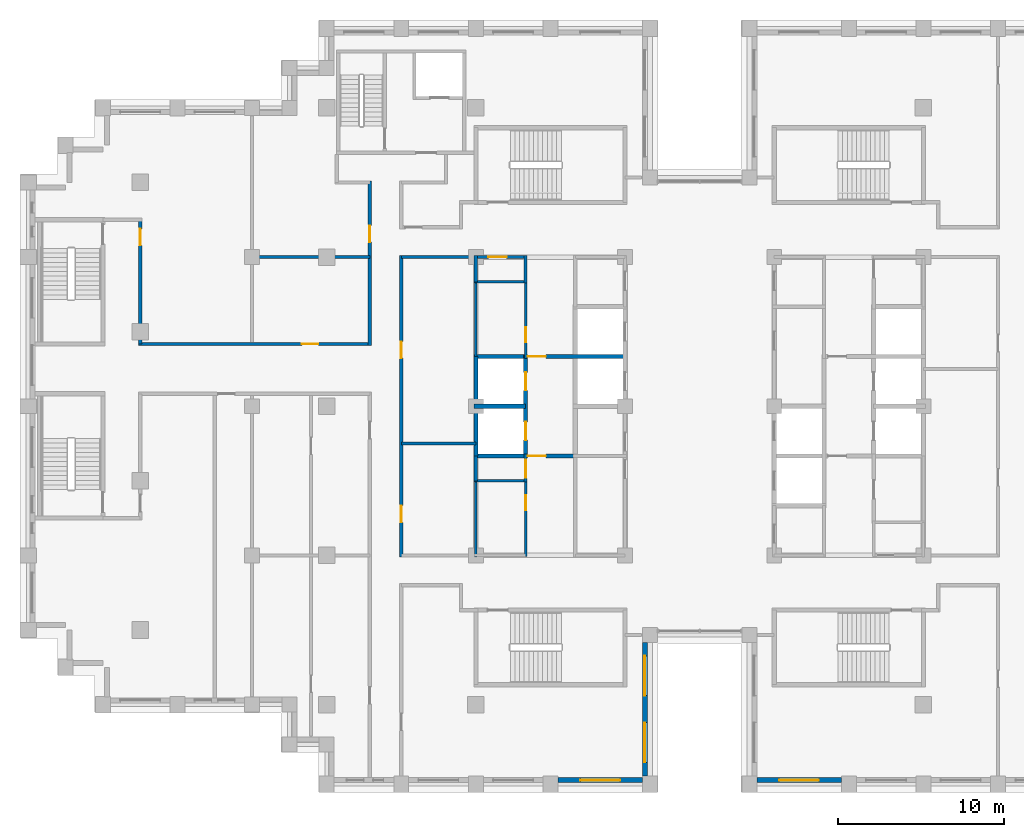
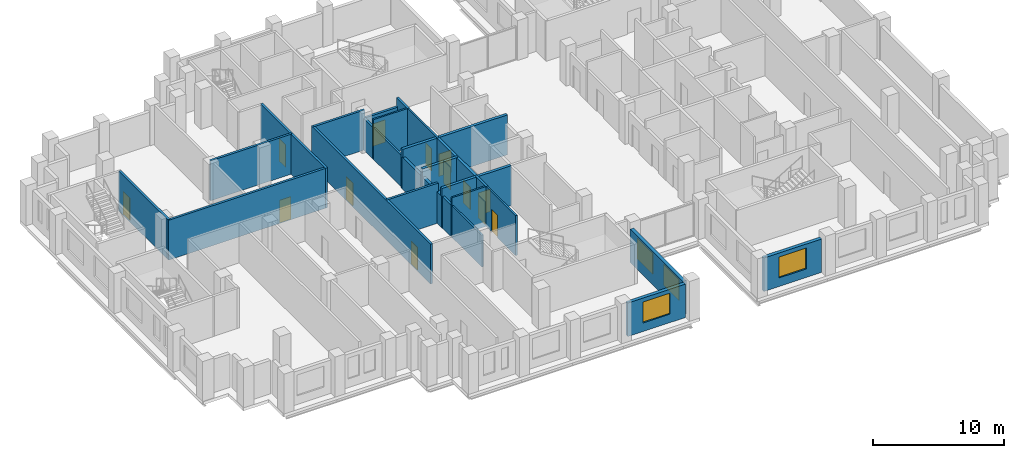
# One storey, part 7 of 15: 26 walls, 13 doors, 4 windows, 17 openings.
"""IFC4 building model written with IfcOpenShell, lengths in metres."""

import ifcopenshell
import ifcopenshell.guid

model = None  # the IFC model being written
_history = None  # IfcOwnerHistory: only IFC2X3 demands one
_inside = {}  # id of a spatial element -> (the spatial element, [elements in it])
_under = {}  # id of a project, library or spatial element -> (it, [spatial elements below it])
_declared = {}  # id of a project -> (the project, [libraries it declares])
_typed = {}  # id of a type object -> (the type object, [elements of that type])
_made_of = {}  # id of a material, layer set ... -> (it, [elements and type objects made of it])


def new_model(schema):
    """Start an empty IFC model of exactly this schema.

    Asked for "IFC4X3", IfcOpenShell would pick the latest addendum, in which some entities
    have other attributes; the version numbers below select the first issue.
    IFC2X3 requires an IfcOwnerHistory on every rooted entity: one is made here for all.
    """
    global model, _history
    if schema == "IFC4X3":
        model = ifcopenshell.file(schema_version=(4, 3, 0, 0))
    else:
        model = ifcopenshell.file(schema=schema)
    _inside.clear()
    _under.clear()
    _declared.clear()
    _typed.clear()
    _made_of.clear()
    _history = None
    if model.schema == "IFC2X3":
        org = make("IfcOrganization", Name="unknown")
        user = make(
            "IfcPersonAndOrganization",
            ThePerson=make("IfcPerson", FamilyName="unknown"),
            TheOrganization=org,
        )
        app = make(
            "IfcApplication",
            ApplicationDeveloper=org,
            Version="unknown",
            ApplicationFullName="unknown",
            ApplicationIdentifier="unknown",
        )
        _history = make(
            "IfcOwnerHistory",
            OwningUser=user,
            OwningApplication=app,
            ChangeAction="ADDED",
            CreationDate=0,
        )
    return model


def make(cls, **values):
    """One entity of the class cls with the attributes given. An attribute that is None is left unset."""
    return model.create_entity(
        cls, **{name: value for name, value in values.items() if value is not None}
    )


def rooted(cls, **values):
    """An entity with a GlobalId (a new one), such as an element, a storey or a relation."""
    return make(cls, GlobalId=ifcopenshell.guid.new(), OwnerHistory=_history, **values)


def si_unit(unit_type, name, prefix=None):
    """IfcSIUnit, for example si_unit("LENGTHUNIT", "METRE", prefix="MILLI")."""
    return make("IfcSIUnit", UnitType=unit_type, Prefix=prefix, Name=name)


def assignment(units):
    """IfcUnitAssignment: the units of a project."""
    return None if units is None else make("IfcUnitAssignment", Units=units)


def point(xyz):
    """IfcCartesianPoint."""
    return None if xyz is None else make("IfcCartesianPoint", Coordinates=xyz)


def direction(xyz):
    """IfcDirection."""
    return None if xyz is None else make("IfcDirection", DirectionRatios=xyz)


def frame(location, z_axis=None, x_axis=None):
    """IfcAxis2Placement3D, a coordinate frame: its origin and axes. An axis left out is left unset."""
    return make(
        "IfcAxis2Placement3D",
        Location=point(location),
        Axis=direction(z_axis),
        RefDirection=direction(x_axis),
    )


def frame_2d(location, x_axis=None):
    """IfcAxis2Placement2D, a coordinate frame in the plane: its origin and x axis."""
    return make(
        "IfcAxis2Placement2D", Location=point(location), RefDirection=direction(x_axis)
    )


def origin():
    """The frame at (0, 0, 0) with its axes left unset."""
    return frame((0.0, 0.0, 0.0))


def place(relative_to, where):
    """IfcLocalPlacement: puts the frame where relative to a parent placement (None: the world)."""
    return make(
        "IfcLocalPlacement", PlacementRelTo=relative_to, RelativePlacement=where
    )


def context(
    kind, dimensions, precision=None, world=None, true_north=None, identifier=None
):
    """IfcGeometricRepresentationContext, for example the 3D "Model" context."""
    return make(
        "IfcGeometricRepresentationContext",
        ContextIdentifier=identifier,
        ContextType=kind,
        CoordinateSpaceDimension=dimensions,
        Precision=precision,
        WorldCoordinateSystem=world,
        TrueNorth=true_north,
    )


def subcontext(parent, identifier, kind, view, scale=None):
    """IfcGeometricRepresentationSubContext, for example "Body" below "Model"."""
    return make(
        "IfcGeometricRepresentationSubContext",
        ContextIdentifier=identifier,
        ContextType=kind,
        ParentContext=parent,
        TargetScale=scale,
        TargetView=view,
    )


def project(units=None, contexts=None):
    """IfcProject with its units and contexts."""
    return rooted(
        "IfcProject",
        Name="project",
        RepresentationContexts=contexts,
        UnitsInContext=assignment(units),
    )


def spatial(cls, under=None, at=None, **own):
    """A site, building, storey or space (cls), placed at a placement, below another one or the project."""
    s = rooted(cls, ObjectPlacement=at, **own)
    if under is not None:
        _under.setdefault(under.id(), (under, []))[1].append(s)
    return s


def profile(cls, at=None, kind="AREA", **sizes):
    """A parametric profile (cls). Its sizes go by their IFC names, for example OverallWidth=200.0."""
    return make(cls, ProfileType=kind, Position=at, **sizes)


def rectangle(**sizes):
    """IfcRectangleProfileDef."""
    return profile("IfcRectangleProfileDef", **sizes)


def extrude(swept, where, along, depth):
    """IfcExtrudedAreaSolid: the profile swept, set in the frame where, extruded along a direction by depth."""
    return make(
        "IfcExtrudedAreaSolid",
        SweptArea=swept,
        Position=where,
        ExtrudedDirection=direction(along),
        Depth=depth,
    )


def shape(context_of_items, identifier, shape_type, items):
    """IfcShapeRepresentation: the items that make up one representation, for example the "Body"."""
    return make(
        "IfcShapeRepresentation",
        ContextOfItems=context_of_items,
        RepresentationIdentifier=identifier,
        RepresentationType=shape_type,
        Items=items,
    )


def material(Name=None, Category=None):
    """IfcMaterial."""
    return make("IfcMaterial", Name=Name, Category=Category)


def layer(
    of_material, thickness, ventilated=None, Name=None, Category=None, Priority=None
):
    """IfcMaterialLayer: one layer of a wall or slab, of a material (None: an air gap)."""
    return make(
        "IfcMaterialLayer",
        Material=of_material,
        LayerThickness=thickness,
        IsVentilated=ventilated,
        Name=Name,
        Category=Category,
        Priority=Priority,
    )


def layer_set(layers, Name=None):
    """IfcMaterialLayerSet."""
    return make("IfcMaterialLayerSet", MaterialLayers=layers, LayerSetName=Name)


def made_of(thing, what):
    """Note that an element or type object is made of a material, layer set ...; save() writes the relation."""
    if what is not None:
        _made_of.setdefault(what.id(), (what, []))[1].append(thing)
    return thing


def type_object(cls, material=None, **own):
    """A type object (cls), such as IfcWallType, which elements share."""
    return made_of(rooted(cls, **own), material)


def element(
    cls,
    number,
    at=None,
    inside=None,
    cuts=None,
    type_object=None,
    material=None,
    context=None,
    identifier="Body",
    shape_type=None,
    held_by="IfcProductDefinitionShape",
    body=None,
    shapes=None,
    **own,
):
    """One element of the class cls, such as IfcWall. Its Tag is "e" and its number.

    at: its placement. inside: the storey or other place that contains it. cuts: it is an
    opening in that element (IfcRelVoidsElement). A single representation is given by context,
    identifier, shape_type and body (its items); several are given by shapes. held_by: the class
    of the entity that holds the representations. save() writes the other relations.
    """
    e = rooted(cls, Tag="e%d" % number, ObjectPlacement=at, **own)
    if body is not None:
        shapes = [shape(context, identifier, shape_type, body)]
    if shapes is not None:
        e.Representation = make(held_by, Representations=shapes)
    if inside is not None:
        _inside.setdefault(inside.id(), (inside, []))[1].append(e)
    if cuts is not None:
        rooted(
            "IfcRelVoidsElement", RelatingBuildingElement=cuts, RelatedOpeningElement=e
        )
    if type_object is not None:
        _typed.setdefault(type_object.id(), (type_object, []))[1].append(e)
    return made_of(e, material)


def fill(opening, filler):
    """IfcRelFillsElement: the door or window that sits in an opening."""
    return rooted(
        "IfcRelFillsElement",
        RelatingOpeningElement=opening,
        RelatedBuildingElement=filler,
    )


def aggregate(whole, parts):
    """IfcRelAggregates: a whole, such as a stair, and the parts it consists of."""
    return rooted("IfcRelAggregates", RelatingObject=whole, RelatedObjects=parts)


def save(model, path):
    """Write the relations noted so far, then the file.

    IfcRelAggregates (storeys below a building ...), IfcRelContainedInSpatialStructure (elements
    in a storey), IfcRelDefinesByType, IfcRelAssociatesMaterial and IfcRelDeclares: one each for
    every whole, place, type object, material and project.
    """
    for whole, parts in _under.values():
        aggregate(whole, parts)
    for where, things in _inside.values():
        rooted(
            "IfcRelContainedInSpatialStructure",
            RelatedElements=things,
            RelatingStructure=where,
        )
    for kind, things in _typed.values():
        rooted("IfcRelDefinesByType", RelatedObjects=things, RelatingType=kind)
    for what, things in _made_of.values():
        rooted("IfcRelAssociatesMaterial", RelatedObjects=things, RelatingMaterial=what)
    for by, libraries in _declared.values():
        rooted("IfcRelDeclares", RelatingContext=by, RelatedDefinitions=libraries)
    model.write(path)


model = new_model("IFC4")

# Units and contexts
model_context = context("Model", 3, precision=1e-05, world=origin(), true_north=direction((0.0, 1.0)))
body_context = subcontext(model_context, "Body", "Model", "MODEL_VIEW")
ifc_project = project(units=[si_unit("LENGTHUNIT", "METRE"), si_unit("AREAUNIT", "SQUARE_METRE"), si_unit("VOLUMEUNIT", "CUBIC_METRE"), si_unit("PLANEANGLEUNIT", "RADIAN"), si_unit("MASSUNIT", "GRAM", prefix="KILO")], contexts=[model_context])

# Site, building, storey
site_placement = place(None, origin())
site = spatial("IfcSite", under=ifc_project, at=site_placement, CompositionType="ELEMENT")
building_placement = place(site_placement, origin())
building = spatial("IfcBuilding", under=site, at=building_placement, Name="Corbelhall Arena Tower", CompositionType="ELEMENT")
storey_placement = place(building_placement, frame((0.0, 0.0, 224.0)))
storey = spatial("IfcBuildingStorey", under=building, at=storey_placement, Name="L47", CompositionType="ELEMENT", Elevation=224.0)

# Wall, opening, window
ifc_material_1 = material(Name="Precast concrete C40/50 with granite facing", Category="masonry")
ifc_layer_1 = layer(ifc_material_1, 0.300048828125)
ifc_layer_set_1 = layer_set([ifc_layer_1], Name="EV-IW1 Infill panel 300")
wall_type_1 = type_object("IfcWallType", Name="EV-IW1 Infill panel 300", PredefinedType="SOLIDWALL", material=ifc_layer_set_1)
wall_1_placement = place(storey_placement, frame((-8.550048828125, -22.550048828125, 0.0), z_axis=(0.0, 0.0, 1.0), x_axis=(1.0, 0.0, 0.0)))
wall_1 = element("IfcWall", 1, at=wall_1_placement, inside=storey, type_object=wall_type_1, Name="Infill panel IW1", PredefinedType="SOLIDWALL", context=body_context, shape_type="SweptSolid", body=[
    extrude(rectangle(XDim=5.10009765625, YDim=0.300048828125, at=frame_2d((2.550048828125, 0.0))), origin(), (0.0, 0.0, 1.0), 3.1201171875),
])
opening_1_placement = place(wall_1_placement, frame((1.35009765625, 0.0, 0.800048828125)))
opening_1 = element("IfcOpeningElement", 2, at=opening_1_placement, cuts=wall_1, Name="Opening WN1", PredefinedType="OPENING", context=body_context, shape_type="SweptSolid", body=[
    extrude(rectangle(XDim=2.39990234375, YDim=1.949951171875, at=frame_2d((1.199951171875, 0.97509765625))), frame((0.0, 0.14990234375, 0.0), z_axis=(0.0, -1.0, 0.0), x_axis=(1.0, 0.0, 0.0)), (0.0, 0.0, 1.0), 0.300048828125),
])
ifc_material_2 = material(Name="Aluminium black anodised", Category="aluminium")
window_type = type_object("IfcWindowType", Name="EV-WN1 Office window", PartitioningType="SINGLE_PANEL", PredefinedType="WINDOW", material=ifc_material_2)
window_1_placement = place(opening_1_placement, origin())
window_1 = element("IfcWindow", 3, at=window_1_placement, inside=storey, type_object=window_type, Name="Window WN1", OverallHeight=1.949951171875, OverallWidth=2.39990234375, PartitioningType="SINGLE_PANEL", PredefinedType="WINDOW", context=body_context, shape_type="SweptSolid", body=[
    extrude(rectangle(XDim=2.39990234375, YDim=1.949951171875, at=frame_2d((1.199951171875, 0.97509765625))), frame((0.0, 0.030029296875, 0.0), z_axis=(0.0, -1.0, 0.0), x_axis=(1.0, 0.0, 0.0)), (0.0, 0.0, 1.0), 0.06005859375),
])
fill(opening_1, window_1)

# Wall, openings, windows
wall_2_placement = place(storey_placement, frame((-3.300048828125, -22.300048828125, 0.0), z_axis=(0.0, 0.0, 1.0), x_axis=(0.0, 1.0, 0.0)))
wall_2 = element("IfcWall", 4, at=wall_2_placement, inside=storey, type_object=wall_type_1, Name="Infill panel IW1", PredefinedType="SOLIDWALL", context=body_context, shape_type="SweptSolid", body=[
    extrude(rectangle(XDim=8.050048828125, YDim=0.300048828125, at=frame_2d((4.02490234375, 0.0))), origin(), (0.0, 0.0, 1.0), 3.1201171875),
])
opening_2_placement = place(wall_2_placement, frame((0.8125, 0.0, 0.800048828125)))
opening_2 = element("IfcOpeningElement", 5, at=opening_2_placement, cuts=wall_2, Name="Opening WN1", PredefinedType="OPENING", context=body_context, shape_type="SweptSolid", body=[
    extrude(rectangle(XDim=2.39990234375, YDim=1.949951171875, at=frame_2d((1.199951171875, 0.97509765625))), frame((0.0, 0.14990234375, 0.0), z_axis=(0.0, -1.0, 0.0), x_axis=(1.0, 0.0, 0.0)), (0.0, 0.0, 1.0), 0.300048828125),
])
opening_3_placement = place(wall_2_placement, frame((4.83740234375, 0.0, 0.800048828125)))
opening_3 = element("IfcOpeningElement", 6, at=opening_3_placement, cuts=wall_2, Name="Opening WN1", PredefinedType="OPENING", context=body_context, shape_type="SweptSolid", body=[
    extrude(rectangle(XDim=2.39990234375, YDim=1.949951171875, at=frame_2d((1.199951171875, 0.97509765625))), frame((0.0, 0.14990234375, 0.0), z_axis=(0.0, -1.0, 0.0), x_axis=(1.0, 0.0, 0.0)), (0.0, 0.0, 1.0), 0.300048828125),
])
window_2_placement = place(opening_2_placement, origin())
window_2 = element("IfcWindow", 7, at=window_2_placement, inside=storey, type_object=window_type, Name="Window WN1", OverallHeight=1.949951171875, OverallWidth=2.39990234375, PartitioningType="SINGLE_PANEL", PredefinedType="WINDOW", context=body_context, shape_type="SweptSolid", body=[
    extrude(rectangle(XDim=2.39990234375, YDim=1.949951171875, at=frame_2d((1.199951171875, 0.97509765625))), frame((0.0, 0.030029296875, 0.0), z_axis=(0.0, -1.0, 0.0), x_axis=(1.0, 0.0, 0.0)), (0.0, 0.0, 1.0), 0.06005859375),
])
fill(opening_2, window_2)
window_3_placement = place(opening_3_placement, origin())
window_3 = element("IfcWindow", 8, at=window_3_placement, inside=storey, type_object=window_type, Name="Window WN1", OverallHeight=1.949951171875, OverallWidth=2.39990234375, PartitioningType="SINGLE_PANEL", PredefinedType="WINDOW", context=body_context, shape_type="SweptSolid", body=[
    extrude(rectangle(XDim=2.39990234375, YDim=1.949951171875, at=frame_2d((1.199951171875, 0.97509765625))), frame((0.0, 0.030029296875, 0.0), z_axis=(0.0, -1.0, 0.0), x_axis=(1.0, 0.0, 0.0)), (0.0, 0.0, 1.0), 0.06005859375),
])
fill(opening_3, window_3)

# Wall, opening, window
wall_3_placement = place(storey_placement, frame((3.449951171875, -22.550048828125, 0.0), z_axis=(0.0, 0.0, 1.0), x_axis=(1.0, 0.0, 0.0)))
wall_3 = element("IfcWall", 9, at=wall_3_placement, inside=storey, type_object=wall_type_1, Name="Infill panel IW1", PredefinedType="SOLIDWALL", context=body_context, shape_type="SweptSolid", body=[
    extrude(rectangle(XDim=5.10009765625, YDim=0.300048828125, at=frame_2d((2.550048828125, 0.0))), origin(), (0.0, 0.0, 1.0), 3.1201171875),
])
opening_4_placement = place(wall_3_placement, frame((1.35009765625, 0.0, 0.800048828125)))
opening_4 = element("IfcOpeningElement", 10, at=opening_4_placement, cuts=wall_3, Name="Opening WN1", PredefinedType="OPENING", context=body_context, shape_type="SweptSolid", body=[
    extrude(rectangle(XDim=2.39990234375, YDim=1.949951171875, at=frame_2d((1.199951171875, 0.97509765625))), frame((0.0, 0.14990234375, 0.0), z_axis=(0.0, -1.0, 0.0), x_axis=(1.0, 0.0, 0.0)), (0.0, 0.0, 1.0), 0.300048828125),
])
window_4_placement = place(opening_4_placement, origin())
window_4 = element("IfcWindow", 11, at=window_4_placement, inside=storey, type_object=window_type, Name="Window WN1", OverallHeight=1.949951171875, OverallWidth=2.39990234375, PartitioningType="SINGLE_PANEL", PredefinedType="WINDOW", context=body_context, shape_type="SweptSolid", body=[
    extrude(rectangle(XDim=2.39990234375, YDim=1.949951171875, at=frame_2d((1.199951171875, 0.97509765625))), frame((0.0, 0.030029296875, 0.0), z_axis=(0.0, -1.0, 0.0), x_axis=(1.0, 0.0, 0.0)), (0.0, 0.0, 1.0), 0.06005859375),
])
fill(opening_4, window_4)

# Wall, opening, door
ifc_material_3 = material(Name="Gypsum board on steel stud, acoustic", Category="steel")
ifc_layer_2 = layer(ifc_material_3, 0.199951171875)
ifc_layer_set_2 = layer_set([ifc_layer_2], Name="IN-W-DM200")
wall_type_2 = type_object("IfcWallType", Name="IN-W-DM200", PredefinedType="PARTITIONING", material=ifc_layer_set_2)
wall_4_placement = place(storey_placement, frame((-33.85009765625, 3.75, 0.0), z_axis=(0.0, 0.0, 1.0), x_axis=(1.0, 0.0, 0.0)))
wall_4 = element("IfcWall", 12, at=wall_4_placement, inside=storey, type_object=wall_type_2, Name="Partition 002", PredefinedType="PARTITIONING", context=body_context, shape_type="SweptSolid", body=[
    extrude(rectangle(XDim=13.9501953125, YDim=0.199951171875, at=frame_2d((6.97509765625, 0.0))), origin(), (0.0, 0.0, 1.0), 3.719970703125),
])
opening_5_placement = place(wall_4_placement, frame((9.85009765625, 0.0, 0.0)))
opening_5 = element("IfcOpeningElement", 13, at=opening_5_placement, cuts=wall_4, Name="Opening 14032", PredefinedType="OPENING", context=body_context, shape_type="SweptSolid", body=[
    extrude(rectangle(XDim=1.0, YDim=2.10009765625, at=frame_2d((0.5, 1.050048828125))), frame((0.0, 0.10009765625, 0.0), z_axis=(0.0, -1.0, 0.0), x_axis=(1.0, 0.0, 0.0)), (0.0, 0.0, 1.0), 0.199951171875),
])
ifc_material_4 = material(Name="Steel door set", Category="steel")
door_type_1 = type_object("IfcDoorType", Name="IN-D-SW100", OperationType="NOTDEFINED", PredefinedType="DOOR", material=ifc_material_4)
door_1_placement = place(opening_5_placement, origin())
door_1 = element("IfcDoor", 14, at=door_1_placement, inside=storey, type_object=door_type_1, Name="Door 032", OperationType="SINGLE_SWING_LEFT", OverallHeight=2.10009765625, OverallWidth=1.0, PredefinedType="DOOR", context=body_context, shape_type="SweptSolid", body=[
    extrude(rectangle(XDim=1.0, YDim=2.10009765625, at=frame_2d((0.5, 1.050048828125))), frame((0.0, 0.02490234375, 0.0), z_axis=(0.0, -1.0, 0.0), x_axis=(1.0, 0.0, 0.0)), (0.0, 0.0, 1.0), 0.050048828125),
])
fill(opening_5, door_1)

wall_5_placement = place(storey_placement, frame((-33.75, 11.25, 0.0), z_axis=(0.0, 0.0, 1.0), x_axis=(0.0, -1.0, 0.0)))
wall_5 = element("IfcWall", 15, at=wall_5_placement, inside=storey, type_object=wall_type_2, Name="Partition 005", PredefinedType="PARTITIONING", context=body_context, shape_type="SweptSolid", body=[
    extrude(rectangle(XDim=7.5, YDim=0.199951171875, at=frame_2d((3.75, 0.0))), origin(), (0.0, 0.0, 1.0), 3.719970703125),
])
opening_6_placement = place(wall_5_placement, frame((0.550048828125, 0.0, 0.0)))
opening_6 = element("IfcOpeningElement", 16, at=opening_6_placement, cuts=wall_5, Name="Opening 14042", PredefinedType="OPENING", context=body_context, shape_type="SweptSolid", body=[
    extrude(rectangle(XDim=1.0, YDim=2.10009765625, at=frame_2d((0.5, 1.050048828125))), frame((0.0, 0.10009765625, 0.0), z_axis=(0.0, -1.0, 0.0), x_axis=(1.0, 0.0, 0.0)), (0.0, 0.0, 1.0), 0.199951171875),
])
door_2_placement = place(opening_6_placement, origin())
door_2 = element("IfcDoor", 17, at=door_2_placement, inside=storey, type_object=door_type_1, Name="Door 042", OperationType="SINGLE_SWING_LEFT", OverallHeight=2.10009765625, OverallWidth=1.0, PredefinedType="DOOR", context=body_context, shape_type="SweptSolid", body=[
    extrude(rectangle(XDim=1.0, YDim=2.10009765625, at=frame_2d((0.5, 1.050048828125))), frame((0.0, 0.02490234375, 0.0), z_axis=(0.0, -1.0, 0.0), x_axis=(1.0, 0.0, 0.0)), (0.0, 0.0, 1.0), 0.050048828125),
])
fill(opening_6, door_2)

# Wall
wall_6_placement = place(storey_placement, frame((-27.10009765625, 9.0, 0.0), z_axis=(0.0, 0.0, 1.0), x_axis=(1.0, 0.0, 0.0)))
element("IfcWall", 18, at=wall_6_placement, inside=storey, type_object=wall_type_2, Name="Partition 009", PredefinedType="PARTITIONING", context=body_context, shape_type="SweptSolid", body=[
    extrude(rectangle(XDim=7.2001953125, YDim=0.199951171875, at=frame_2d((3.60009765625, 0.0))), origin(), (0.0, 0.0, 1.0), 3.719970703125),
])

# Wall, opening, door
wall_7_placement = place(storey_placement, frame((-19.89990234375, 3.64990234375, 0.0), z_axis=(0.0, 0.0, 1.0), x_axis=(0.0, 1.0, 0.0)))
wall_7 = element("IfcWall", 19, at=wall_7_placement, inside=storey, type_object=wall_type_2, Name="Partition 015", PredefinedType="PARTITIONING", context=body_context, shape_type="SweptSolid", body=[
    extrude(rectangle(XDim=9.9501953125, YDim=0.199951171875, at=frame_2d((4.97509765625, 0.0))), origin(), (0.0, 0.0, 1.0), 3.719970703125),
])
opening_7_placement = place(wall_7_placement, frame((6.25, 0.0, 0.0)))
opening_7 = element("IfcOpeningElement", 20, at=opening_7_placement, cuts=wall_7, Name="Opening 14033", PredefinedType="OPENING", context=body_context, shape_type="SweptSolid", body=[
    extrude(rectangle(XDim=1.0, YDim=2.10009765625, at=frame_2d((0.5, 1.050048828125))), frame((0.0, 0.10009765625, 0.0), z_axis=(0.0, -1.0, 0.0), x_axis=(1.0, 0.0, 0.0)), (0.0, 0.0, 1.0), 0.199951171875),
])
door_3_placement = place(opening_7_placement, origin())
door_3 = element("IfcDoor", 21, at=door_3_placement, inside=storey, type_object=door_type_1, Name="Door 033", OperationType="SINGLE_SWING_RIGHT", OverallHeight=2.10009765625, OverallWidth=1.0, PredefinedType="DOOR", context=body_context, shape_type="SweptSolid", body=[
    extrude(rectangle(XDim=1.0, YDim=2.10009765625, at=frame_2d((0.5, 1.050048828125))), frame((0.0, 0.02490234375, 0.0), z_axis=(0.0, -1.0, 0.0), x_axis=(1.0, 0.0, 0.0)), (0.0, 0.0, 1.0), 0.050048828125),
])
fill(opening_7, door_3)

# Wall
wall_8_placement = place(storey_placement, frame((-18.0, -2.25, 0.0), z_axis=(0.0, 0.0, 1.0), x_axis=(1.0, 0.0, 0.0)))
element("IfcWall", 22, at=wall_8_placement, inside=storey, type_object=wall_type_2, Name="Partition 019", PredefinedType="PARTITIONING", context=body_context, shape_type="SweptSolid", body=[
    extrude(rectangle(XDim=4.5, YDim=0.199951171875, at=frame_2d((2.25, 0.0))), origin(), (0.0, 0.0, 1.0), 3.719970703125),
])

# Wall, openings, doors
wall_9_placement = place(storey_placement, frame((-18.0, 9.10009765625, 0.0), z_axis=(0.0, 0.0, 1.0), x_axis=(0.0, -1.0, 0.0)))
wall_9 = element("IfcWall", 23, at=wall_9_placement, inside=storey, type_object=wall_type_2, Name="Partition 020", PredefinedType="PARTITIONING", context=body_context, shape_type="SweptSolid", body=[
    extrude(rectangle(XDim=18.2001953125, YDim=0.199951171875, at=frame_2d((9.10009765625, 0.0))), origin(), (0.0, 0.0, 1.0), 3.719970703125),
])
opening_8_placement = place(wall_9_placement, frame((15.10009765625, 0.0, 0.0)))
opening_8 = element("IfcOpeningElement", 24, at=opening_8_placement, cuts=wall_9, Name="Opening 14024", PredefinedType="OPENING", context=body_context, shape_type="SweptSolid", body=[
    extrude(rectangle(XDim=1.0, YDim=2.10009765625, at=frame_2d((0.5, 1.050048828125))), frame((0.0, 0.10009765625, 0.0), z_axis=(0.0, -1.0, 0.0), x_axis=(1.0, 0.0, 0.0)), (0.0, 0.0, 1.0), 0.199951171875),
])
opening_9_placement = place(wall_9_placement, frame((5.199951171875, 0.0, 0.0)))
opening_9 = element("IfcOpeningElement", 25, at=opening_9_placement, cuts=wall_9, Name="Opening 14025", PredefinedType="OPENING", context=body_context, shape_type="SweptSolid", body=[
    extrude(rectangle(XDim=1.0, YDim=2.10009765625, at=frame_2d((0.5, 1.050048828125))), frame((0.0, 0.10009765625, 0.0), z_axis=(0.0, -1.0, 0.0), x_axis=(1.0, 0.0, 0.0)), (0.0, 0.0, 1.0), 0.199951171875),
])
door_4_placement = place(opening_8_placement, origin())
door_4 = element("IfcDoor", 26, at=door_4_placement, inside=storey, type_object=door_type_1, Name="Door 024", OperationType="SINGLE_SWING_LEFT", OverallHeight=2.10009765625, OverallWidth=1.0, PredefinedType="DOOR", context=body_context, shape_type="SweptSolid", body=[
    extrude(rectangle(XDim=1.0, YDim=2.10009765625, at=frame_2d((0.5, 1.050048828125))), frame((0.0, 0.02490234375, 0.0), z_axis=(0.0, -1.0, 0.0), x_axis=(1.0, 0.0, 0.0)), (0.0, 0.0, 1.0), 0.050048828125),
])
fill(opening_8, door_4)
door_5_placement = place(opening_9_placement, origin())
door_5 = element("IfcDoor", 27, at=door_5_placement, inside=storey, type_object=door_type_1, Name="Door 025", OperationType="SINGLE_SWING_RIGHT", OverallHeight=2.10009765625, OverallWidth=1.0, PredefinedType="DOOR", context=body_context, shape_type="SweptSolid", body=[
    extrude(rectangle(XDim=1.0, YDim=2.10009765625, at=frame_2d((0.5, 1.050048828125))), frame((0.0, 0.02490234375, 0.0), z_axis=(0.0, -1.0, 0.0), x_axis=(1.0, 0.0, 0.0)), (0.0, 0.0, 1.0), 0.050048828125),
])
fill(opening_9, door_5)

# Wall
wall_10_placement = place(storey_placement, frame((-13.5, 9.0, 0.0), z_axis=(0.0, 0.0, 1.0), x_axis=(-1.0, 0.0, 0.0)))
element("IfcWall", 28, at=wall_10_placement, inside=storey, type_object=wall_type_2, Name="Partition 028", PredefinedType="PARTITIONING", context=body_context, shape_type="SweptSolid", body=[
    extrude(rectangle(XDim=4.5, YDim=0.199951171875, at=frame_2d((2.25, 0.0))), origin(), (0.0, 0.0, 1.0), 3.719970703125),
])

# Wall, opening, door
ifc_material_5 = material(Name="Concrete block wall", Category="concrete")
ifc_layer_3 = layer(ifc_material_5, 0.199951171875)
ifc_layer_set_3 = layer_set([ifc_layer_3], Name="IN-W-RS200")
wall_type_3 = type_object("IfcWallType", Name="IN-W-RS200", PredefinedType="SOLIDWALL", material=ifc_layer_set_3)
wall_11_placement = place(storey_placement, frame((-10.5, -4.574951171875, 0.0), z_axis=(0.0, 0.0, 1.0), x_axis=(0.0, 1.0, 0.0)))
wall_11 = element("IfcWall", 29, at=wall_11_placement, inside=storey, type_object=wall_type_3, Name="Partition 055", PredefinedType="SOLIDWALL", context=body_context, shape_type="SweptSolid", body=[
    extrude(rectangle(XDim=1.699951171875, YDim=0.199951171875, at=frame_2d((0.85009765625, 0.0))), origin(), (0.0, 0.0, 1.0), 3.719970703125),
])
opening_10_placement = place(wall_11_placement, frame((0.25, 0.0, 0.0)))
opening_10 = element("IfcOpeningElement", 30, at=opening_10_placement, cuts=wall_11, Name="Opening 14007", PredefinedType="OPENING", context=body_context, shape_type="SweptSolid", body=[
    extrude(rectangle(XDim=1.10009765625, YDim=2.10009765625, at=frame_2d((0.550048828125, 1.050048828125))), frame((0.0, 0.10009765625, 0.0), z_axis=(0.0, -1.0, 0.0), x_axis=(1.0, 0.0, 0.0)), (0.0, 0.0, 1.0), 0.199951171875),
])
door_type_2 = type_object("IfcDoorType", Name="IN-D-FD110", OperationType="NOTDEFINED", PredefinedType="DOOR", material=ifc_material_4)
door_6_placement = place(opening_10_placement, origin())
door_6 = element("IfcDoor", 31, at=door_6_placement, inside=storey, type_object=door_type_2, Name="Door 007", OperationType="SINGLE_SWING_RIGHT", OverallHeight=2.10009765625, OverallWidth=1.10009765625, PredefinedType="DOOR", context=body_context, shape_type="SweptSolid", body=[
    extrude(rectangle(XDim=1.10009765625, YDim=2.10009765625, at=frame_2d((0.550048828125, 1.050048828125))), frame((0.0, 0.02490234375, 0.0), z_axis=(0.0, -1.0, 0.0), x_axis=(1.0, 0.0, 0.0)), (0.0, 0.0, 1.0), 0.050048828125),
])
fill(opening_10, door_6)

# Wall
wall_12_placement = place(storey_placement, frame((-10.5, 7.425048828125, 0.0), z_axis=(0.0, 0.0, 1.0), x_axis=(0.0, 1.0, 0.0)))
element("IfcWall", 32, at=wall_12_placement, inside=storey, type_object=wall_type_3, Name="Partition 056", PredefinedType="SOLIDWALL", context=body_context, shape_type="SweptSolid", body=[
    extrude(rectangle(XDim=1.675048828125, YDim=0.199951171875, at=frame_2d((0.83740234375, 0.0))), origin(), (0.0, 0.0, 1.0), 3.719970703125),
])

# Wall, opening, door
ifc_layer_4 = layer(ifc_material_5, 0.199951171875)
ifc_layer_set_4 = layer_set([ifc_layer_4], Name="IN-W-RS200 under beam 762 mm")
wall_type_4 = type_object("IfcWallType", Name="IN-W-RS200 under beam 762 mm", PredefinedType="SOLIDWALL", material=ifc_layer_set_4)
wall_13_placement = place(storey_placement, frame((-13.60009765625, 9.0, 0.0), z_axis=(0.0, 0.0, 1.0), x_axis=(1.0, 0.0, 0.0)))
wall_13 = element("IfcWall", 33, at=wall_13_placement, inside=storey, type_object=wall_type_4, Name="Partition 052", PredefinedType="SOLIDWALL", context=body_context, shape_type="SweptSolid", body=[
    extrude(rectangle(XDim=3.10009765625, YDim=0.199951171875, at=frame_2d((1.550048828125, 0.0))), origin(), (0.0, 0.0, 1.0), 2.9580078125),
])
opening_11_placement = place(wall_13_placement, frame((0.85009765625, 0.0, 0.0)))
opening_11 = element("IfcOpeningElement", 34, at=opening_11_placement, cuts=wall_13, Name="Opening 14009", PredefinedType="OPENING", context=body_context, shape_type="SweptSolid", body=[
    extrude(rectangle(XDim=1.10009765625, YDim=2.10009765625, at=frame_2d((0.550048828125, 1.050048828125))), frame((0.0, 0.10009765625, 0.0), z_axis=(0.0, -1.0, 0.0), x_axis=(1.0, 0.0, 0.0)), (0.0, 0.0, 1.0), 0.199951171875),
])
door_7_placement = place(opening_11_placement, origin())
door_7 = element("IfcDoor", 35, at=door_7_placement, inside=storey, type_object=door_type_2, Name="Door 009", OperationType="SINGLE_SWING_RIGHT", OverallHeight=2.10009765625, OverallWidth=1.10009765625, PredefinedType="DOOR", context=body_context, shape_type="SweptSolid", body=[
    extrude(rectangle(XDim=1.10009765625, YDim=2.10009765625, at=frame_2d((0.550048828125, 1.050048828125))), frame((0.0, 0.02490234375, 0.0), z_axis=(0.0, -1.0, 0.0), x_axis=(1.0, 0.0, 0.0)), (0.0, 0.0, 1.0), 0.050048828125),
])
fill(opening_11, door_7)

# Walls
wall_14_placement = place(storey_placement, frame((-13.5, -4.5, 0.0), z_axis=(0.0, 0.0, 1.0), x_axis=(0.0, 1.0, 0.0)))
element("IfcWall", 36, at=wall_14_placement, inside=storey, type_object=wall_type_4, Name="Partition 053", PredefinedType="SOLIDWALL", context=body_context, shape_type="SweptSolid", body=[
    extrude(rectangle(XDim=1.5, YDim=0.199951171875, at=frame_2d((0.75, 0.0))), origin(), (0.0, 0.0, 1.0), 2.9580078125),
])
wall_15_placement = place(storey_placement, frame((-13.5, 7.5, 0.0), z_axis=(0.0, 0.0, 1.0), x_axis=(0.0, 1.0, 0.0)))
element("IfcWall", 37, at=wall_15_placement, inside=storey, type_object=wall_type_4, Name="Partition 054", PredefinedType="SOLIDWALL", context=body_context, shape_type="SweptSolid", body=[
    extrude(rectangle(XDim=1.60009765625, YDim=0.199951171875, at=frame_2d((0.800048828125, 0.0))), origin(), (0.0, 0.0, 1.0), 2.9580078125),
])
ifc_material_6 = material(Name="Concrete C40/50", Category="concrete")
ifc_layer_5 = layer(ifc_material_6, 0.25)
ifc_layer_set_5 = layer_set([ifc_layer_5], Name="IN-W-SH250")
wall_type_5 = type_object("IfcWallType", Name="IN-W-SH250", PredefinedType="SOLIDWALL", material=ifc_layer_set_5)
wall_16_placement = place(storey_placement, frame((-13.625, 0.0, 0.0), z_axis=(0.0, 0.0, 1.0), x_axis=(1.0, 0.0, 0.0)))
element("IfcWall", 38, at=wall_16_placement, inside=storey, type_object=wall_type_5, Name="Shaft wall 076", PredefinedType="SOLIDWALL", context=body_context, shape_type="SweptSolid", body=[
    extrude(rectangle(XDim=3.125, YDim=0.25, at=frame_2d((1.5625, 0.0))), origin(), (0.0, 0.0, 1.0), 3.719970703125),
])

# Wall, opening, door
wall_17_placement = place(storey_placement, frame((-13.625, 3.0, 0.0), z_axis=(0.0, 0.0, 1.0), x_axis=(1.0, 0.0, 0.0)))
wall_17 = element("IfcWall", 39, at=wall_17_placement, inside=storey, type_object=wall_type_5, Name="Shaft wall 077", PredefinedType="SOLIDWALL", context=body_context, shape_type="SweptSolid", body=[
    extrude(rectangle(XDim=9.25, YDim=0.25, at=frame_2d((4.625, 0.0))), origin(), (0.0, 0.0, 1.0), 3.719970703125),
])
opening_12_placement = place(wall_17_placement, frame((3.25, 0.0, 0.0)))
opening_12 = element("IfcOpeningElement", 40, at=opening_12_placement, cuts=wall_17, Name="Opening 14005", PredefinedType="OPENING", context=body_context, shape_type="SweptSolid", body=[
    extrude(rectangle(XDim=1.10009765625, YDim=2.10009765625, at=frame_2d((0.550048828125, 1.050048828125))), frame((0.0, 0.125, 0.0), z_axis=(0.0, -1.0, 0.0), x_axis=(1.0, 0.0, 0.0)), (0.0, 0.0, 1.0), 0.25),
])
door_8_placement = place(opening_12_placement, origin())
door_8 = element("IfcDoor", 41, at=door_8_placement, inside=storey, type_object=door_type_2, Name="Door 005", OperationType="SINGLE_SWING_RIGHT", OverallHeight=2.10009765625, OverallWidth=1.10009765625, PredefinedType="DOOR", context=body_context, shape_type="SweptSolid", body=[
    extrude(rectangle(XDim=1.10009765625, YDim=2.10009765625, at=frame_2d((0.550048828125, 1.050048828125))), frame((0.0, 0.02490234375, 0.0), z_axis=(0.0, -1.0, 0.0), x_axis=(1.0, 0.0, 0.0)), (0.0, 0.0, 1.0), 0.050048828125),
])
fill(opening_12, door_8)

wall_18_placement = place(storey_placement, frame((-13.625, -3.0, 0.0), z_axis=(0.0, 0.0, 1.0), x_axis=(1.0, 0.0, 0.0)))
wall_18 = element("IfcWall", 42, at=wall_18_placement, inside=storey, type_object=wall_type_5, Name="Shaft wall 079", PredefinedType="SOLIDWALL", context=body_context, shape_type="SweptSolid", body=[
    extrude(rectangle(XDim=6.125, YDim=0.25, at=frame_2d((3.0625, 0.0))), origin(), (0.0, 0.0, 1.0), 3.719970703125),
])
opening_13_placement = place(wall_18_placement, frame((3.25, 0.0, 0.0)))
opening_13 = element("IfcOpeningElement", 43, at=opening_13_placement, cuts=wall_18, Name="Opening 14004", PredefinedType="OPENING", context=body_context, shape_type="SweptSolid", body=[
    extrude(rectangle(XDim=1.10009765625, YDim=2.10009765625, at=frame_2d((0.550048828125, 1.050048828125))), frame((0.0, 0.125, 0.0), z_axis=(0.0, -1.0, 0.0), x_axis=(1.0, 0.0, 0.0)), (0.0, 0.0, 1.0), 0.25),
])
door_9_placement = place(opening_13_placement, origin())
door_9 = element("IfcDoor", 44, at=door_9_placement, inside=storey, type_object=door_type_2, Name="Door 004", OperationType="SINGLE_SWING_LEFT", OverallHeight=2.10009765625, OverallWidth=1.10009765625, PredefinedType="DOOR", context=body_context, shape_type="SweptSolid", body=[
    extrude(rectangle(XDim=1.10009765625, YDim=2.10009765625, at=frame_2d((0.550048828125, 1.050048828125))), frame((0.0, 0.02490234375, 0.0), z_axis=(0.0, -1.0, 0.0), x_axis=(1.0, 0.0, 0.0)), (0.0, 0.0, 1.0), 0.050048828125),
])
fill(opening_13, door_9)

# Wall, openings, doors
wall_19_placement = place(storey_placement, frame((-10.5, -3.125, 0.0), z_axis=(0.0, 0.0, 1.0), x_axis=(0.0, 1.0, 0.0)))
wall_19 = element("IfcWall", 45, at=wall_19_placement, inside=storey, type_object=wall_type_5, Name="Shaft wall 080", PredefinedType="SOLIDWALL", context=body_context, shape_type="SweptSolid", body=[
    extrude(rectangle(XDim=6.25, YDim=0.25, at=frame_2d((3.125, 0.0))), origin(), (0.0, 0.0, 1.0), 3.719970703125),
])
opening_14_placement = place(wall_19_placement, frame((1.074951171875, 0.0, 0.0)))
opening_14 = element("IfcOpeningElement", 46, at=opening_14_placement, cuts=wall_19, Name="Opening LD", PredefinedType="OPENING", context=body_context, shape_type="SweptSolid", body=[
    extrude(rectangle(XDim=1.10009765625, YDim=2.10009765625, at=frame_2d((0.550048828125, 1.050048828125))), frame((0.0, 0.125, 0.0), z_axis=(0.0, -1.0, 0.0), x_axis=(1.0, 0.0, 0.0)), (0.0, 0.0, 1.0), 0.25),
])
opening_15_placement = place(wall_19_placement, frame((4.074951171875, 0.0, 0.0)))
opening_15 = element("IfcOpeningElement", 47, at=opening_15_placement, cuts=wall_19, Name="Opening LD", PredefinedType="OPENING", context=body_context, shape_type="SweptSolid", body=[
    extrude(rectangle(XDim=1.10009765625, YDim=2.10009765625, at=frame_2d((0.550048828125, 1.050048828125))), frame((0.0, 0.125, 0.0), z_axis=(0.0, -1.0, 0.0), x_axis=(1.0, 0.0, 0.0)), (0.0, 0.0, 1.0), 0.25),
])
door_type_3 = type_object("IfcDoorType", Name="IN-D-LD110", OperationType="NOTDEFINED", PredefinedType="DOOR", material=ifc_material_4)
door_10_placement = place(opening_14_placement, origin())
door_10 = element("IfcDoor", 48, at=door_10_placement, inside=storey, type_object=door_type_3, Name="Landing door W3", OperationType="SLIDING_TO_LEFT", OverallHeight=2.10009765625, OverallWidth=1.10009765625, PredefinedType="DOOR", context=body_context, shape_type="SweptSolid", body=[
    extrude(rectangle(XDim=1.10009765625, YDim=2.10009765625, at=frame_2d((0.550048828125, 1.050048828125))), frame((0.0, 0.02490234375, 0.0), z_axis=(0.0, -1.0, 0.0), x_axis=(1.0, 0.0, 0.0)), (0.0, 0.0, 1.0), 0.050048828125),
])
fill(opening_14, door_10)
door_11_placement = place(opening_15_placement, origin())
door_11 = element("IfcDoor", 49, at=door_11_placement, inside=storey, type_object=door_type_3, Name="Landing door W4", OperationType="SLIDING_TO_LEFT", OverallHeight=2.10009765625, OverallWidth=1.10009765625, PredefinedType="DOOR", context=body_context, shape_type="SweptSolid", body=[
    extrude(rectangle(XDim=1.10009765625, YDim=2.10009765625, at=frame_2d((0.550048828125, 1.050048828125))), frame((0.0, 0.02490234375, 0.0), z_axis=(0.0, -1.0, 0.0), x_axis=(1.0, 0.0, 0.0)), (0.0, 0.0, 1.0), 0.050048828125),
])
fill(opening_15, door_11)

# Walls
ifc_layer_6 = layer(ifc_material_6, 0.25)
ifc_layer_set_6 = layer_set([ifc_layer_6], Name="IN-W-SH250 under beam 762 mm")
wall_type_6 = type_object("IfcWallType", Name="IN-W-SH250 under beam 762 mm", PredefinedType="SOLIDWALL", material=ifc_layer_set_6)
wall_20_placement = place(storey_placement, frame((-13.5, -3.0, 0.0), z_axis=(0.0, 0.0, 1.0), x_axis=(0.0, 1.0, 0.0)))
element("IfcWall", 50, at=wall_20_placement, inside=storey, type_object=wall_type_6, Name="Shaft wall 078", PredefinedType="SOLIDWALL", context=body_context, shape_type="SweptSolid", body=[
    extrude(rectangle(XDim=6.0, YDim=0.25, at=frame_2d((3.0, 0.0))), origin(), (0.0, 0.0, 1.0), 2.9580078125),
])
ifc_material_7 = material(Name="Gypsum board on steel stud, moisture resistant", Category="steel")
ifc_layer_7 = layer(ifc_material_7, 0.14990234375)
ifc_layer_set_7 = layer_set([ifc_layer_7], Name="IN-W-WC150")
wall_type_7 = type_object("IfcWallType", Name="IN-W-WC150", PredefinedType="PARTITIONING", material=ifc_layer_set_7)
for number, where, z_axis, x_axis, name in (
    (51, (-13.60009765625, -4.5, 0.0), (0.0, 0.0, 1.0), (1.0, 0.0, 0.0), "Partition 117"),
    (52, (-13.60009765625, 7.5, 0.0), (0.0, 0.0, 1.0), (1.0, 0.0, 0.0), "Partition 118"),
):
    element("IfcWall", number, at=place(storey_placement, frame(where, z_axis=z_axis, x_axis=x_axis)), inside=storey, type_object=wall_type_7, Name=name, PredefinedType="PARTITIONING", context=body_context, shape_type="SweptSolid", body=[
        extrude(rectangle(XDim=3.10009765625, YDim=0.14990234375, at=frame_2d((1.550048828125, 0.0))), origin(), (0.0, 0.0, 1.0), 3.719970703125),
    ])

# Wall, opening, door
wall_21_placement = place(storey_placement, frame((-10.5, -9.074951171875, 0.0), z_axis=(0.0, 0.0, 1.0), x_axis=(0.0, 1.0, 0.0)))
wall_21 = element("IfcWall", 53, at=wall_21_placement, inside=storey, type_object=wall_type_7, Name="Partition 121", PredefinedType="PARTITIONING", context=body_context, shape_type="SweptSolid", body=[
    extrude(rectangle(XDim=4.64990234375, YDim=0.14990234375, at=frame_2d((2.324951171875, 0.0))), origin(), (0.0, 0.0, 1.0), 3.719970703125),
])
opening_16_placement = place(wall_21_placement, frame((2.800048828125, 0.0, 0.0)))
opening_16 = element("IfcOpeningElement", 54, at=opening_16_placement, cuts=wall_21, Name="Opening 14006", PredefinedType="OPENING", context=body_context, shape_type="SweptSolid", body=[
    extrude(rectangle(XDim=0.89990234375, YDim=2.10009765625, at=frame_2d((0.449951171875, 1.050048828125))), frame((0.0, 0.074951171875, 0.0), z_axis=(0.0, -1.0, 0.0), x_axis=(1.0, 0.0, 0.0)), (0.0, 0.0, 1.0), 0.14990234375),
])
ifc_material_8 = material(Name="Timber door set", Category="wood")
door_type_4 = type_object("IfcDoorType", Name="IN-D-SW90", OperationType="NOTDEFINED", PredefinedType="DOOR", material=ifc_material_8)
door_12_placement = place(opening_16_placement, origin())
door_12 = element("IfcDoor", 55, at=door_12_placement, inside=storey, type_object=door_type_4, Name="Door 006", OperationType="SINGLE_SWING_LEFT", OverallHeight=2.10009765625, OverallWidth=0.89990234375, PredefinedType="DOOR", context=body_context, shape_type="SweptSolid", body=[
    extrude(rectangle(XDim=0.89990234375, YDim=2.10009765625, at=frame_2d((0.449951171875, 1.050048828125))), frame((0.0, 0.02490234375, 0.0), z_axis=(0.0, -1.0, 0.0), x_axis=(1.0, 0.0, 0.0)), (0.0, 0.0, 1.0), 0.050048828125),
])
fill(opening_16, door_12)

wall_22_placement = place(storey_placement, frame((-10.5, 2.875, 0.0), z_axis=(0.0, 0.0, 1.0), x_axis=(0.0, 1.0, 0.0)))
wall_22 = element("IfcWall", 56, at=wall_22_placement, inside=storey, type_object=wall_type_7, Name="Partition 123", PredefinedType="PARTITIONING", context=body_context, shape_type="SweptSolid", body=[
    extrude(rectangle(XDim=4.699951171875, YDim=0.14990234375, at=frame_2d((2.35009765625, 0.0))), origin(), (0.0, 0.0, 1.0), 3.719970703125),
])
opening_17_placement = place(wall_22_placement, frame((1.0, 0.0, 0.0)))
opening_17 = element("IfcOpeningElement", 57, at=opening_17_placement, cuts=wall_22, Name="Opening 14008", PredefinedType="OPENING", context=body_context, shape_type="SweptSolid", body=[
    extrude(rectangle(XDim=0.89990234375, YDim=2.10009765625, at=frame_2d((0.449951171875, 1.050048828125))), frame((0.0, 0.074951171875, 0.0), z_axis=(0.0, -1.0, 0.0), x_axis=(1.0, 0.0, 0.0)), (0.0, 0.0, 1.0), 0.14990234375),
])
door_13_placement = place(opening_17_placement, origin())
door_13 = element("IfcDoor", 58, at=door_13_placement, inside=storey, type_object=door_type_4, Name="Door 008", OperationType="SINGLE_SWING_LEFT", OverallHeight=2.10009765625, OverallWidth=0.89990234375, PredefinedType="DOOR", context=body_context, shape_type="SweptSolid", body=[
    extrude(rectangle(XDim=0.89990234375, YDim=2.10009765625, at=frame_2d((0.449951171875, 1.050048828125))), frame((0.0, 0.02490234375, 0.0), z_axis=(0.0, -1.0, 0.0), x_axis=(1.0, 0.0, 0.0)), (0.0, 0.0, 1.0), 0.050048828125),
])
fill(opening_17, door_13)

# Walls
ifc_layer_8 = layer(ifc_material_7, 0.14990234375)
ifc_layer_set_8 = layer_set([ifc_layer_8], Name="IN-W-WC150 under beam 762 mm")
wall_type_8 = type_object("IfcWallType", Name="IN-W-WC150 under beam 762 mm", PredefinedType="PARTITIONING", material=ifc_layer_set_8)
wall_23_placement = place(storey_placement, frame((-13.5, -9.10009765625, 0.0), z_axis=(0.0, 0.0, 1.0), x_axis=(0.0, 1.0, 0.0)))
element("IfcWall", 59, at=wall_23_placement, inside=storey, type_object=wall_type_8, Name="Partition 119", PredefinedType="PARTITIONING", context=body_context, shape_type="SweptSolid", body=[
    extrude(rectangle(XDim=4.60009765625, YDim=0.14990234375, at=frame_2d((2.300048828125, 0.0))), origin(), (0.0, 0.0, 1.0), 2.9580078125),
])
wall_24_placement = place(storey_placement, frame((-13.5, 3.0, 0.0), z_axis=(0.0, 0.0, 1.0), x_axis=(0.0, 1.0, 0.0)))
element("IfcWall", 60, at=wall_24_placement, inside=storey, type_object=wall_type_8, Name="Partition 120", PredefinedType="PARTITIONING", context=body_context, shape_type="SweptSolid", body=[
    extrude(rectangle(XDim=4.5, YDim=0.14990234375, at=frame_2d((2.25, 0.0))), origin(), (0.0, 0.0, 1.0), 2.9580078125),
])

save(model, "model.ifc")
